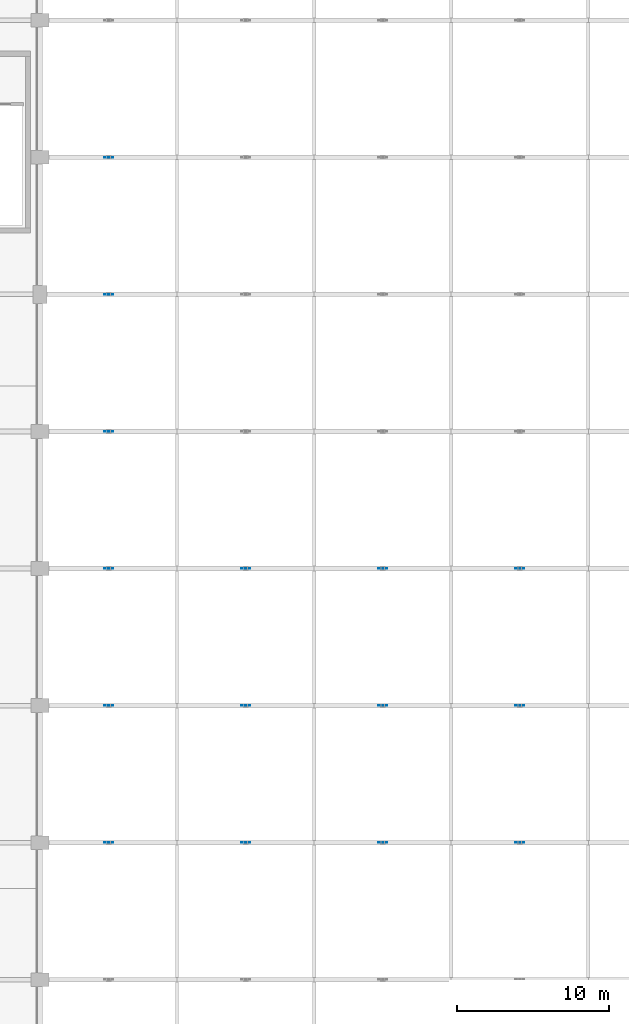
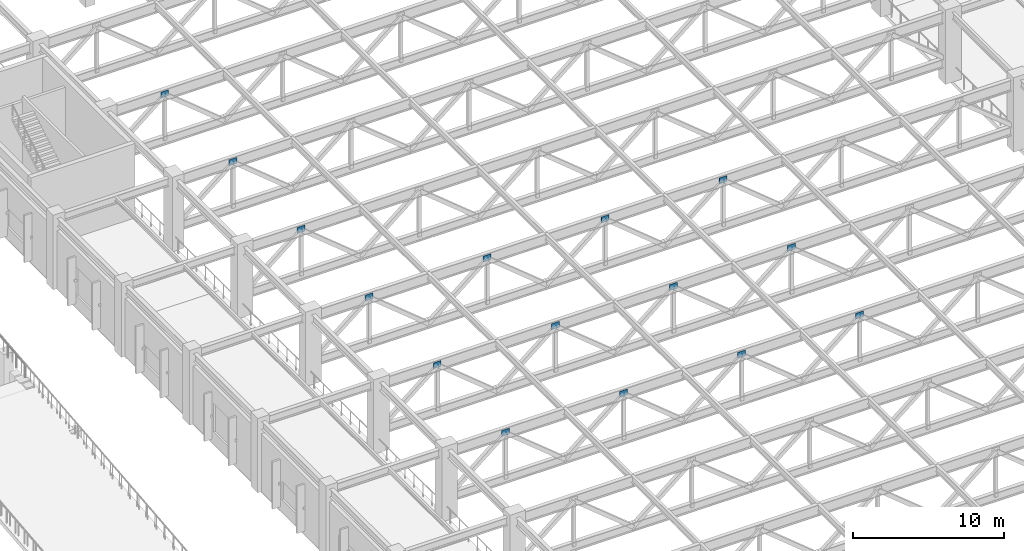
# One storey, part 183 of 223: 15 plates.
"""IFC4 building model written with IfcOpenShell, lengths in metres."""

import ifcopenshell
import ifcopenshell.guid

model = None  # the IFC model being written
_history = None  # IfcOwnerHistory: only IFC2X3 demands one
_inside = {}  # id of a spatial element -> (the spatial element, [elements in it])
_under = {}  # id of a project, library or spatial element -> (it, [spatial elements below it])
_declared = {}  # id of a project -> (the project, [libraries it declares])
_typed = {}  # id of a type object -> (the type object, [elements of that type])
_made_of = {}  # id of a material, layer set ... -> (it, [elements and type objects made of it])


def new_model(schema):
    """Start an empty IFC model of exactly this schema.

    Asked for "IFC4X3", IfcOpenShell would pick the latest addendum, in which some entities
    have other attributes; the version numbers below select the first issue.
    IFC2X3 requires an IfcOwnerHistory on every rooted entity: one is made here for all.
    """
    global model, _history
    if schema == "IFC4X3":
        model = ifcopenshell.file(schema_version=(4, 3, 0, 0))
    else:
        model = ifcopenshell.file(schema=schema)
    _inside.clear()
    _under.clear()
    _declared.clear()
    _typed.clear()
    _made_of.clear()
    _history = None
    if model.schema == "IFC2X3":
        org = make("IfcOrganization", Name="unknown")
        user = make(
            "IfcPersonAndOrganization",
            ThePerson=make("IfcPerson", FamilyName="unknown"),
            TheOrganization=org,
        )
        app = make(
            "IfcApplication",
            ApplicationDeveloper=org,
            Version="unknown",
            ApplicationFullName="unknown",
            ApplicationIdentifier="unknown",
        )
        _history = make(
            "IfcOwnerHistory",
            OwningUser=user,
            OwningApplication=app,
            ChangeAction="ADDED",
            CreationDate=0,
        )
    return model


def make(cls, **values):
    """One entity of the class cls with the attributes given. An attribute that is None is left unset."""
    return model.create_entity(
        cls, **{name: value for name, value in values.items() if value is not None}
    )


def rooted(cls, **values):
    """An entity with a GlobalId (a new one), such as an element, a storey or a relation."""
    return make(cls, GlobalId=ifcopenshell.guid.new(), OwnerHistory=_history, **values)


def si_unit(unit_type, name, prefix=None):
    """IfcSIUnit, for example si_unit("LENGTHUNIT", "METRE", prefix="MILLI")."""
    return make("IfcSIUnit", UnitType=unit_type, Prefix=prefix, Name=name)


def assignment(units):
    """IfcUnitAssignment: the units of a project."""
    return None if units is None else make("IfcUnitAssignment", Units=units)


def point(xyz):
    """IfcCartesianPoint."""
    return None if xyz is None else make("IfcCartesianPoint", Coordinates=xyz)


def direction(xyz):
    """IfcDirection."""
    return None if xyz is None else make("IfcDirection", DirectionRatios=xyz)


def frame(location, z_axis=None, x_axis=None):
    """IfcAxis2Placement3D, a coordinate frame: its origin and axes. An axis left out is left unset."""
    return make(
        "IfcAxis2Placement3D",
        Location=point(location),
        Axis=direction(z_axis),
        RefDirection=direction(x_axis),
    )


def frame_2d(location, x_axis=None):
    """IfcAxis2Placement2D, a coordinate frame in the plane: its origin and x axis."""
    return make(
        "IfcAxis2Placement2D", Location=point(location), RefDirection=direction(x_axis)
    )


def origin():
    """The frame at (0, 0, 0) with its axes left unset."""
    return frame((0.0, 0.0, 0.0))


def origin_2d():
    """The frame at (0, 0) in the plane with its x axis left unset."""
    return frame_2d((0.0, 0.0))


def place(relative_to, where):
    """IfcLocalPlacement: puts the frame where relative to a parent placement (None: the world)."""
    return make(
        "IfcLocalPlacement", PlacementRelTo=relative_to, RelativePlacement=where
    )


def context(
    kind, dimensions, precision=None, world=None, true_north=None, identifier=None
):
    """IfcGeometricRepresentationContext, for example the 3D "Model" context."""
    return make(
        "IfcGeometricRepresentationContext",
        ContextIdentifier=identifier,
        ContextType=kind,
        CoordinateSpaceDimension=dimensions,
        Precision=precision,
        WorldCoordinateSystem=world,
        TrueNorth=true_north,
    )


def subcontext(parent, identifier, kind, view, scale=None):
    """IfcGeometricRepresentationSubContext, for example "Body" below "Model"."""
    return make(
        "IfcGeometricRepresentationSubContext",
        ContextIdentifier=identifier,
        ContextType=kind,
        ParentContext=parent,
        TargetScale=scale,
        TargetView=view,
    )


def project(units=None, contexts=None):
    """IfcProject with its units and contexts."""
    return rooted(
        "IfcProject",
        Name="project",
        RepresentationContexts=contexts,
        UnitsInContext=assignment(units),
    )


def spatial(cls, under=None, at=None, **own):
    """A site, building, storey or space (cls), placed at a placement, below another one or the project."""
    s = rooted(cls, ObjectPlacement=at, **own)
    if under is not None:
        _under.setdefault(under.id(), (under, []))[1].append(s)
    return s


def profile(cls, at=None, kind="AREA", **sizes):
    """A parametric profile (cls). Its sizes go by their IFC names, for example OverallWidth=200.0."""
    return make(cls, ProfileType=kind, Position=at, **sizes)


def rectangle(**sizes):
    """IfcRectangleProfileDef."""
    return profile("IfcRectangleProfileDef", **sizes)


def extrude(swept, where, along, depth):
    """IfcExtrudedAreaSolid: the profile swept, set in the frame where, extruded along a direction by depth."""
    return make(
        "IfcExtrudedAreaSolid",
        SweptArea=swept,
        Position=where,
        ExtrudedDirection=direction(along),
        Depth=depth,
    )


def shape(context_of_items, identifier, shape_type, items):
    """IfcShapeRepresentation: the items that make up one representation, for example the "Body"."""
    return make(
        "IfcShapeRepresentation",
        ContextOfItems=context_of_items,
        RepresentationIdentifier=identifier,
        RepresentationType=shape_type,
        Items=items,
    )


def material(Name=None, Category=None):
    """IfcMaterial."""
    return make("IfcMaterial", Name=Name, Category=Category)


def layer(
    of_material, thickness, ventilated=None, Name=None, Category=None, Priority=None
):
    """IfcMaterialLayer: one layer of a wall or slab, of a material (None: an air gap)."""
    return make(
        "IfcMaterialLayer",
        Material=of_material,
        LayerThickness=thickness,
        IsVentilated=ventilated,
        Name=Name,
        Category=Category,
        Priority=Priority,
    )


def layer_set(layers, Name=None):
    """IfcMaterialLayerSet."""
    return make("IfcMaterialLayerSet", MaterialLayers=layers, LayerSetName=Name)


def made_of(thing, what):
    """Note that an element or type object is made of a material, layer set ...; save() writes the relation."""
    if what is not None:
        _made_of.setdefault(what.id(), (what, []))[1].append(thing)
    return thing


def type_object(cls, material=None, **own):
    """A type object (cls), such as IfcWallType, which elements share."""
    return made_of(rooted(cls, **own), material)


def element(
    cls,
    number,
    at=None,
    inside=None,
    cuts=None,
    type_object=None,
    material=None,
    context=None,
    identifier="Body",
    shape_type=None,
    held_by="IfcProductDefinitionShape",
    body=None,
    shapes=None,
    **own,
):
    """One element of the class cls, such as IfcWall. Its Tag is "e" and its number.

    at: its placement. inside: the storey or other place that contains it. cuts: it is an
    opening in that element (IfcRelVoidsElement). A single representation is given by context,
    identifier, shape_type and body (its items); several are given by shapes. held_by: the class
    of the entity that holds the representations. save() writes the other relations.
    """
    e = rooted(cls, Tag="e%d" % number, ObjectPlacement=at, **own)
    if body is not None:
        shapes = [shape(context, identifier, shape_type, body)]
    if shapes is not None:
        e.Representation = make(held_by, Representations=shapes)
    if inside is not None:
        _inside.setdefault(inside.id(), (inside, []))[1].append(e)
    if cuts is not None:
        rooted(
            "IfcRelVoidsElement", RelatingBuildingElement=cuts, RelatedOpeningElement=e
        )
    if type_object is not None:
        _typed.setdefault(type_object.id(), (type_object, []))[1].append(e)
    return made_of(e, material)


def aggregate(whole, parts):
    """IfcRelAggregates: a whole, such as a stair, and the parts it consists of."""
    return rooted("IfcRelAggregates", RelatingObject=whole, RelatedObjects=parts)


def save(model, path):
    """Write the relations noted so far, then the file.

    IfcRelAggregates (storeys below a building ...), IfcRelContainedInSpatialStructure (elements
    in a storey), IfcRelDefinesByType, IfcRelAssociatesMaterial and IfcRelDeclares: one each for
    every whole, place, type object, material and project.
    """
    for whole, parts in _under.values():
        aggregate(whole, parts)
    for where, things in _inside.values():
        rooted(
            "IfcRelContainedInSpatialStructure",
            RelatedElements=things,
            RelatingStructure=where,
        )
    for kind, things in _typed.values():
        rooted("IfcRelDefinesByType", RelatedObjects=things, RelatingType=kind)
    for what, things in _made_of.values():
        rooted("IfcRelAssociatesMaterial", RelatedObjects=things, RelatingMaterial=what)
    for by, libraries in _declared.values():
        rooted("IfcRelDeclares", RelatingContext=by, RelatedDefinitions=libraries)
    model.write(path)


model = new_model("IFC4")

# Units and contexts
model_context = context("Model", 3, precision=1e-05, world=origin(), true_north=direction((0.0, 1.0)))
body_context = subcontext(model_context, "Body", "Model", "MODEL_VIEW")
ifc_project = project(units=[si_unit("LENGTHUNIT", "METRE"), si_unit("AREAUNIT", "SQUARE_METRE"), si_unit("VOLUMEUNIT", "CUBIC_METRE"), si_unit("PLANEANGLEUNIT", "RADIAN"), si_unit("MASSUNIT", "GRAM", prefix="KILO")], contexts=[model_context])

# Site, building, storey
site_placement = place(None, origin())
site = spatial("IfcSite", under=ifc_project, at=site_placement, CompositionType="ELEMENT")
building_placement = place(site_placement, origin())
building = spatial("IfcBuilding", under=site, at=building_placement, Name="Dornveld Trade and Exhibition Forum", CompositionType="ELEMENT")
storey_placement = place(building_placement, frame((0.0, 0.0, 6.0)))
storey = spatial("IfcBuildingStorey", under=building, at=storey_placement, Name="L01", CompositionType="ELEMENT", Elevation=6.0)

# Plates
ifc_material = material(Name="Steel S355J2", Category="steel")
ifc_layer = layer(ifc_material, 0.031982421875)
ifc_layer_set = layer_set([ifc_layer], Name="Steel S355J2")
plate_type = type_object("IfcPlateType", Name="PL-GUS-600x32", PredefinedType="USERDEFINED", material=ifc_layer_set)
for number, where, z_axis, x_axis, name in (
    (1, (31.5, 72.0, 4.945068359375), (0.0, 0.0, 1.0), (1.0, 0.0, 0.0), "Transfer truss gusset plate 19"),
    (2, (40.5, 72.0, 4.945068359375), (0.0, 0.0, 1.0), (1.0, 0.0, 0.0), "Transfer truss gusset plate 20"),
    (3, (49.5, 72.0, 4.945068359375), (0.0, 0.0, 1.0), (1.0, 0.0, 0.0), "Transfer truss gusset plate 21"),
    (4, (58.5, 72.0, 4.945068359375), (0.0, 0.0, 1.0), (1.0, 0.0, 0.0), "Transfer truss gusset plate 22"),
    (5, (31.5, 81.0, 4.945068359375), (0.0, 0.0, 1.0), (1.0, 0.0, 0.0), "Transfer truss gusset plate 25"),
    (6, (40.5, 81.0, 4.945068359375), (0.0, 0.0, 1.0), (1.0, 0.0, 0.0), "Transfer truss gusset plate 26"),
    (7, (49.5, 81.0, 4.945068359375), (0.0, 0.0, 1.0), (1.0, 0.0, 0.0), "Transfer truss gusset plate 27"),
    (8, (58.5, 81.0, 4.945068359375), (0.0, 0.0, 1.0), (1.0, 0.0, 0.0), "Transfer truss gusset plate 28"),
    (9, (31.5, 90.0, 4.945068359375), (0.0, 0.0, 1.0), (1.0, 0.0, 0.0), "Transfer truss gusset plate 31"),
    (10, (40.5, 90.0, 4.945068359375), (0.0, 0.0, 1.0), (1.0, 0.0, 0.0), "Transfer truss gusset plate 32"),
    (11, (49.5, 90.0, 4.945068359375), (0.0, 0.0, 1.0), (1.0, 0.0, 0.0), "Transfer truss gusset plate 33"),
    (12, (58.5, 90.0, 4.945068359375), (0.0, 0.0, 1.0), (1.0, 0.0, 0.0), "Transfer truss gusset plate 34"),
    (13, (31.5, 99.0, 4.945068359375), (0.0, 0.0, 1.0), (1.0, 0.0, 0.0), "Transfer truss gusset plate 37"),
    (14, (31.5, 108.0, 4.945068359375), (0.0, 0.0, 1.0), (1.0, 0.0, 0.0), "Transfer truss gusset plate 43"),
    (15, (31.5, 117.0, 4.945068359375), (0.0, 0.0, 1.0), (1.0, 0.0, 0.0), "Transfer truss gusset plate 49"),
):
    element("IfcPlate", number, at=place(storey_placement, frame(where, z_axis=z_axis, x_axis=x_axis)), inside=storey, type_object=plate_type, Name=name, ObjectType="GUSSET", PredefinedType="USERDEFINED", context=body_context, shape_type="SweptSolid", body=[
        extrude(rectangle(XDim=0.60009765625, YDim=0.031982421875, at=origin_2d()), origin(), (0.0, 0.0, 1.0), 0.47998046875),
    ])

save(model, "model.ifc")
